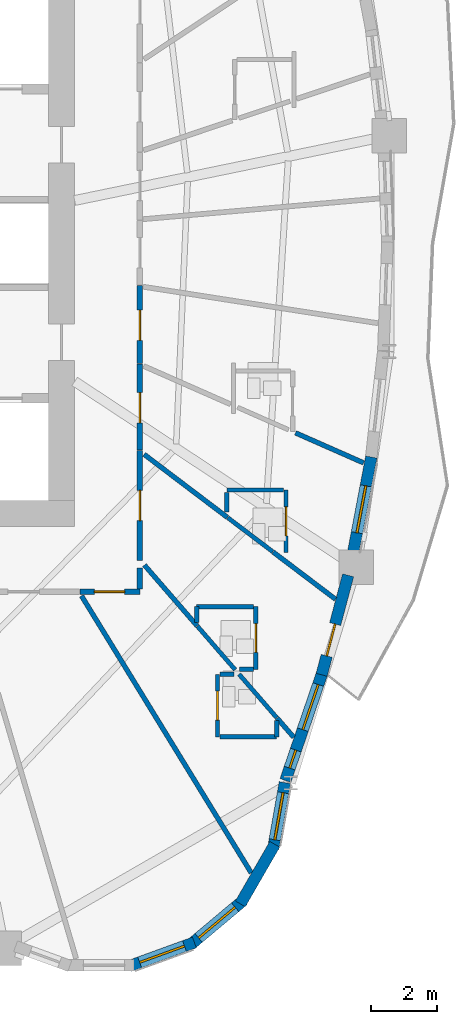
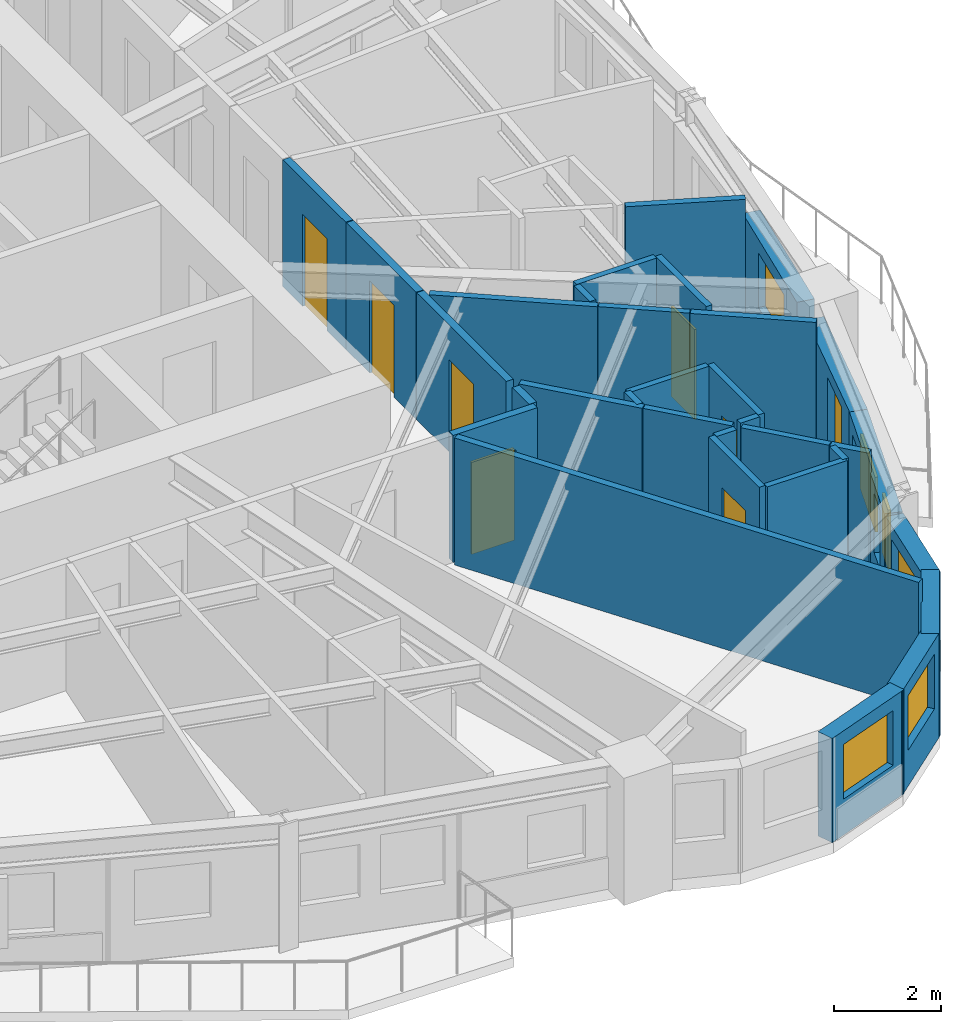
# One storey, part 6 of 13: 32 walls, 8 doors, 6 windows, 14 openings.
"""IFC4 building model written with IfcOpenShell, lengths in metres."""

import ifcopenshell
import ifcopenshell.guid

model = None  # the IFC model being written
_history = None  # IfcOwnerHistory: only IFC2X3 demands one
_inside = {}  # id of a spatial element -> (the spatial element, [elements in it])
_under = {}  # id of a project, library or spatial element -> (it, [spatial elements below it])
_declared = {}  # id of a project -> (the project, [libraries it declares])
_typed = {}  # id of a type object -> (the type object, [elements of that type])
_made_of = {}  # id of a material, layer set ... -> (it, [elements and type objects made of it])


def new_model(schema):
    """Start an empty IFC model of exactly this schema.

    Asked for "IFC4X3", IfcOpenShell would pick the latest addendum, in which some entities
    have other attributes; the version numbers below select the first issue.
    IFC2X3 requires an IfcOwnerHistory on every rooted entity: one is made here for all.
    """
    global model, _history
    if schema == "IFC4X3":
        model = ifcopenshell.file(schema_version=(4, 3, 0, 0))
    else:
        model = ifcopenshell.file(schema=schema)
    _inside.clear()
    _under.clear()
    _declared.clear()
    _typed.clear()
    _made_of.clear()
    _history = None
    if model.schema == "IFC2X3":
        org = make("IfcOrganization", Name="unknown")
        user = make(
            "IfcPersonAndOrganization",
            ThePerson=make("IfcPerson", FamilyName="unknown"),
            TheOrganization=org,
        )
        app = make(
            "IfcApplication",
            ApplicationDeveloper=org,
            Version="unknown",
            ApplicationFullName="unknown",
            ApplicationIdentifier="unknown",
        )
        _history = make(
            "IfcOwnerHistory",
            OwningUser=user,
            OwningApplication=app,
            ChangeAction="ADDED",
            CreationDate=0,
        )
    return model


def make(cls, **values):
    """One entity of the class cls with the attributes given. An attribute that is None is left unset."""
    return model.create_entity(
        cls, **{name: value for name, value in values.items() if value is not None}
    )


def rooted(cls, **values):
    """An entity with a GlobalId (a new one), such as an element, a storey or a relation."""
    return make(cls, GlobalId=ifcopenshell.guid.new(), OwnerHistory=_history, **values)


def si_unit(unit_type, name, prefix=None):
    """IfcSIUnit, for example si_unit("LENGTHUNIT", "METRE", prefix="MILLI")."""
    return make("IfcSIUnit", UnitType=unit_type, Prefix=prefix, Name=name)


def assignment(units):
    """IfcUnitAssignment: the units of a project."""
    return None if units is None else make("IfcUnitAssignment", Units=units)


def point(xyz):
    """IfcCartesianPoint."""
    return None if xyz is None else make("IfcCartesianPoint", Coordinates=xyz)


def direction(xyz):
    """IfcDirection."""
    return None if xyz is None else make("IfcDirection", DirectionRatios=xyz)


def frame(location, z_axis=None, x_axis=None):
    """IfcAxis2Placement3D, a coordinate frame: its origin and axes. An axis left out is left unset."""
    return make(
        "IfcAxis2Placement3D",
        Location=point(location),
        Axis=direction(z_axis),
        RefDirection=direction(x_axis),
    )


def frame_2d(location, x_axis=None):
    """IfcAxis2Placement2D, a coordinate frame in the plane: its origin and x axis."""
    return make(
        "IfcAxis2Placement2D", Location=point(location), RefDirection=direction(x_axis)
    )


def origin():
    """The frame at (0, 0, 0) with its axes left unset."""
    return frame((0.0, 0.0, 0.0))


def place(relative_to, where):
    """IfcLocalPlacement: puts the frame where relative to a parent placement (None: the world)."""
    return make(
        "IfcLocalPlacement", PlacementRelTo=relative_to, RelativePlacement=where
    )


def context(
    kind, dimensions, precision=None, world=None, true_north=None, identifier=None
):
    """IfcGeometricRepresentationContext, for example the 3D "Model" context."""
    return make(
        "IfcGeometricRepresentationContext",
        ContextIdentifier=identifier,
        ContextType=kind,
        CoordinateSpaceDimension=dimensions,
        Precision=precision,
        WorldCoordinateSystem=world,
        TrueNorth=true_north,
    )


def subcontext(parent, identifier, kind, view, scale=None):
    """IfcGeometricRepresentationSubContext, for example "Body" below "Model"."""
    return make(
        "IfcGeometricRepresentationSubContext",
        ContextIdentifier=identifier,
        ContextType=kind,
        ParentContext=parent,
        TargetScale=scale,
        TargetView=view,
    )


def project(units=None, contexts=None):
    """IfcProject with its units and contexts."""
    return rooted(
        "IfcProject",
        Name="project",
        RepresentationContexts=contexts,
        UnitsInContext=assignment(units),
    )


def spatial(cls, under=None, at=None, **own):
    """A site, building, storey or space (cls), placed at a placement, below another one or the project."""
    s = rooted(cls, ObjectPlacement=at, **own)
    if under is not None:
        _under.setdefault(under.id(), (under, []))[1].append(s)
    return s


def profile(cls, at=None, kind="AREA", **sizes):
    """A parametric profile (cls). Its sizes go by their IFC names, for example OverallWidth=200.0."""
    return make(cls, ProfileType=kind, Position=at, **sizes)


def rectangle(**sizes):
    """IfcRectangleProfileDef."""
    return profile("IfcRectangleProfileDef", **sizes)


def extrude(swept, where, along, depth):
    """IfcExtrudedAreaSolid: the profile swept, set in the frame where, extruded along a direction by depth."""
    return make(
        "IfcExtrudedAreaSolid",
        SweptArea=swept,
        Position=where,
        ExtrudedDirection=direction(along),
        Depth=depth,
    )


def shape(context_of_items, identifier, shape_type, items):
    """IfcShapeRepresentation: the items that make up one representation, for example the "Body"."""
    return make(
        "IfcShapeRepresentation",
        ContextOfItems=context_of_items,
        RepresentationIdentifier=identifier,
        RepresentationType=shape_type,
        Items=items,
    )


def source(mapping_origin, context_of_items, identifier, shape_type, items):
    """IfcRepresentationMap: a shape defined once, which mapped items show again and again."""
    return make(
        "IfcRepresentationMap",
        MappingOrigin=mapping_origin,
        MappedRepresentation=shape(context_of_items, identifier, shape_type, items),
    )


def transform(
    local_origin,
    x_axis=None,
    y_axis=None,
    z_axis=None,
    scale=None,
    scale2=None,
    scale3=None,
    uniform=True,
):
    """IfcCartesianTransformationOperator3D, or its non-uniform kind. x_axis, y_axis, z_axis: its Axis1, 2, 3."""
    if uniform:
        return make(
            "IfcCartesianTransformationOperator3D",
            Axis1=direction(x_axis),
            Axis2=direction(y_axis),
            LocalOrigin=point(local_origin),
            Scale=scale,
            Axis3=direction(z_axis),
        )
    return make(
        "IfcCartesianTransformationOperator3DnonUniform",
        Axis1=direction(x_axis),
        Axis2=direction(y_axis),
        LocalOrigin=point(local_origin),
        Scale=scale,
        Axis3=direction(z_axis),
        Scale2=scale2,
        Scale3=scale3,
    )


def mapped(mapping_source, mapping_target):
    """IfcMappedItem: shows the shape of a source again, moved by a transform."""
    return make(
        "IfcMappedItem", MappingSource=mapping_source, MappingTarget=mapping_target
    )


def material(Name=None, Category=None):
    """IfcMaterial."""
    return make("IfcMaterial", Name=Name, Category=Category)


def layer(
    of_material, thickness, ventilated=None, Name=None, Category=None, Priority=None
):
    """IfcMaterialLayer: one layer of a wall or slab, of a material (None: an air gap)."""
    return make(
        "IfcMaterialLayer",
        Material=of_material,
        LayerThickness=thickness,
        IsVentilated=ventilated,
        Name=Name,
        Category=Category,
        Priority=Priority,
    )


def layer_set(layers, Name=None):
    """IfcMaterialLayerSet."""
    return make("IfcMaterialLayerSet", MaterialLayers=layers, LayerSetName=Name)


def made_of(thing, what):
    """Note that an element or type object is made of a material, layer set ...; save() writes the relation."""
    if what is not None:
        _made_of.setdefault(what.id(), (what, []))[1].append(thing)
    return thing


def type_object(cls, material=None, **own):
    """A type object (cls), such as IfcWallType, which elements share."""
    return made_of(rooted(cls, **own), material)


def element(
    cls,
    number,
    at=None,
    inside=None,
    cuts=None,
    type_object=None,
    material=None,
    context=None,
    identifier="Body",
    shape_type=None,
    held_by="IfcProductDefinitionShape",
    body=None,
    shapes=None,
    **own,
):
    """One element of the class cls, such as IfcWall. Its Tag is "e" and its number.

    at: its placement. inside: the storey or other place that contains it. cuts: it is an
    opening in that element (IfcRelVoidsElement). A single representation is given by context,
    identifier, shape_type and body (its items); several are given by shapes. held_by: the class
    of the entity that holds the representations. save() writes the other relations.
    """
    e = rooted(cls, Tag="e%d" % number, ObjectPlacement=at, **own)
    if body is not None:
        shapes = [shape(context, identifier, shape_type, body)]
    if shapes is not None:
        e.Representation = make(held_by, Representations=shapes)
    if inside is not None:
        _inside.setdefault(inside.id(), (inside, []))[1].append(e)
    if cuts is not None:
        rooted(
            "IfcRelVoidsElement", RelatingBuildingElement=cuts, RelatedOpeningElement=e
        )
    if type_object is not None:
        _typed.setdefault(type_object.id(), (type_object, []))[1].append(e)
    return made_of(e, material)


def fill(opening, filler):
    """IfcRelFillsElement: the door or window that sits in an opening."""
    return rooted(
        "IfcRelFillsElement",
        RelatingOpeningElement=opening,
        RelatedBuildingElement=filler,
    )


def aggregate(whole, parts):
    """IfcRelAggregates: a whole, such as a stair, and the parts it consists of."""
    return rooted("IfcRelAggregates", RelatingObject=whole, RelatedObjects=parts)


def save(model, path):
    """Write the relations noted so far, then the file.

    IfcRelAggregates (storeys below a building ...), IfcRelContainedInSpatialStructure (elements
    in a storey), IfcRelDefinesByType, IfcRelAssociatesMaterial and IfcRelDeclares: one each for
    every whole, place, type object, material and project.
    """
    for whole, parts in _under.values():
        aggregate(whole, parts)
    for where, things in _inside.values():
        rooted(
            "IfcRelContainedInSpatialStructure",
            RelatedElements=things,
            RelatingStructure=where,
        )
    for kind, things in _typed.values():
        rooted("IfcRelDefinesByType", RelatedObjects=things, RelatingType=kind)
    for what, things in _made_of.values():
        rooted("IfcRelAssociatesMaterial", RelatedObjects=things, RelatingMaterial=what)
    for by, libraries in _declared.values():
        rooted("IfcRelDeclares", RelatingContext=by, RelatedDefinitions=libraries)
    model.write(path)


model = new_model("IFC4")

# Units and contexts
model_context = context("Model", 3, precision=1e-05, world=origin(), true_north=direction((0.0, 1.0)))
body_context = subcontext(model_context, "Body", "Model", "MODEL_VIEW")
ifc_project = project(units=[si_unit("LENGTHUNIT", "METRE"), si_unit("AREAUNIT", "SQUARE_METRE"), si_unit("VOLUMEUNIT", "CUBIC_METRE"), si_unit("PLANEANGLEUNIT", "RADIAN"), si_unit("MASSUNIT", "GRAM", prefix="KILO")], contexts=[model_context])

# Site, building, storey
site_placement = place(None, origin())
site = spatial("IfcSite", under=ifc_project, at=site_placement, CompositionType="ELEMENT")
building_placement = place(site_placement, origin())
building = spatial("IfcBuilding", under=site, at=building_placement, Name="Qafzar Sky-Pleat Residences", CompositionType="ELEMENT")
storey_placement = place(building_placement, frame((0.0, 0.0, 62.199951171875)))
storey = spatial("IfcBuildingStorey", under=building, at=storey_placement, Name="L18", CompositionType="ELEMENT", Elevation=62.199951171875)

# Wall, opening, door
ifc_material_1 = material(Name="Acoustic gypsum plasterboard partition", Category="gypsum")
ifc_layer_1 = layer(ifc_material_1, 0.159912109375)
ifc_layer_set_1 = layer_set([ifc_layer_1], Name="Acoustic gypsum plasterboard partition")
wall_type_1 = type_object("IfcWallType", Name="PART-COR-160", PredefinedType="PARTITIONING", material=ifc_layer_set_1)
wall_1_placement = place(storey_placement, frame((38.679931640625, 19.712890625, 0.0), z_axis=(0.0, 0.0, 1.0), x_axis=(0.0, -1.0, 0.0)))
wall_1 = element("IfcWall", 1, at=wall_1_placement, inside=storey, type_object=wall_type_1, Name="L18 Partition Wall PART-L18-PW-008", PredefinedType="PARTITIONING", context=body_context, shape_type="SweptSolid", body=[
    extrude(rectangle(XDim=3.343994140625, YDim=0.159912109375, at=frame_2d((1.671875, 0.0))), origin(), (0.0, 0.0, 1.0), 2.900146484375),
])
opening_1_placement = place(wall_1_placement, frame((1.2099609375, 0.0, 0.0)))
opening_1 = element("IfcOpeningElement", 2, at=opening_1_placement, cuts=wall_1, Name="Opening ID-04", PredefinedType="OPENING", context=body_context, shape_type="SweptSolid", body=[
    extrude(rectangle(XDim=0.919921875, YDim=2.10009765625, at=frame_2d((0.4599609375, 1.050048828125))), frame((0.0, 0.08984375, 0.0), z_axis=(0.0, -1.0, 0.0), x_axis=(1.0, 0.0, 0.0)), (0.0, 0.0, 1.0), 0.179931640625),
])
ifc_material_2 = material(Name="Timber-faced fire door", Category="wood")
door_type_1 = type_object("IfcDoorType", Name="DR-BED-920", OperationType="NOTDEFINED", PredefinedType="DOOR", material=ifc_material_2)
shared_shape_1 = source(origin(), body_context, "Body", "SweptSolid", [
    extrude(rectangle(XDim=0.919921875, YDim=2.10009765625, at=frame_2d((0.4599609375, 1.050048828125))), frame((0.0, 0.02490234375, 0.0), z_axis=(0.0, -1.0, 0.0), x_axis=(1.0, 0.0, 0.0)), (0.0, 0.0, 1.0), 0.050048828125),
])
door_1_placement = place(opening_1_placement, origin())
door_1 = element("IfcDoor", 3, at=door_1_placement, inside=storey, type_object=door_type_1, Name="L18 Co-Living Bedroom 2 Door", OperationType="SINGLE_SWING_RIGHT", OverallHeight=2.10009765625, OverallWidth=0.919921875, PredefinedType="DOOR", context=body_context, shape_type="MappedRepresentation", body=[
    mapped(shared_shape_1, transform((0.0, 0.0, 0.0), x_axis=(1.0, 0.0, 0.0), y_axis=(0.0, 1.0, 0.0), z_axis=(0.0, 0.0, 1.0), scale=1.0)),
])
fill(opening_1, door_1)

wall_2_placement = place(storey_placement, frame((38.679931640625, 22.347900390625, 0.0), z_axis=(0.0, 0.0, 1.0), x_axis=(0.0, -1.0, 0.0)))
wall_2 = element("IfcWall", 4, at=wall_2_placement, inside=storey, type_object=wall_type_1, Name="L18 Partition Wall PART-L18-PW-013", PredefinedType="PARTITIONING", context=body_context, shape_type="SweptSolid", body=[
    extrude(rectangle(XDim=2.619873046875, YDim=0.159912109375, at=frame_2d((1.31005859375, 0.0))), origin(), (0.0, 0.0, 1.0), 2.900146484375),
])
opening_2_placement = place(wall_2_placement, frame((0.87548828125, 0.0, 0.0)))
opening_2 = element("IfcOpeningElement", 5, at=opening_2_placement, cuts=wall_2, Name="Opening ID-04", PredefinedType="OPENING", context=body_context, shape_type="SweptSolid", body=[
    extrude(rectangle(XDim=0.919921875, YDim=2.10009765625, at=frame_2d((0.4599609375, 1.050048828125))), frame((0.0, 0.08984375, 0.0), z_axis=(0.0, -1.0, 0.0), x_axis=(1.0, 0.0, 0.0)), (0.0, 0.0, 1.0), 0.179931640625),
])
door_2_placement = place(opening_2_placement, origin())
door_2 = element("IfcDoor", 6, at=door_2_placement, inside=storey, type_object=door_type_1, Name="L18 Co-Living Bedroom 3 Door", OperationType="SINGLE_SWING_LEFT", OverallHeight=2.10009765625, OverallWidth=0.919921875, PredefinedType="DOOR", context=body_context, shape_type="MappedRepresentation", body=[
    mapped(shared_shape_1, transform((0.0, 0.0, 0.0), x_axis=(1.0, 0.0, 0.0), y_axis=(0.0, 1.0, 0.0), z_axis=(0.0, 0.0, 1.0), scale=1.0)),
])
fill(opening_2, door_2)

wall_3_placement = place(storey_placement, frame((38.679931640625, 24.719970703125, 0.0), z_axis=(0.0, 0.0, 1.0), x_axis=(0.0, -1.0, 0.0)))
wall_3 = element("IfcWall", 7, at=wall_3_placement, inside=storey, type_object=wall_type_1, Name="L18 Partition Wall PART-L18-PW-015", PredefinedType="PARTITIONING", context=body_context, shape_type="SweptSolid", body=[
    extrude(rectangle(XDim=2.35693359375, YDim=0.159912109375, at=frame_2d((1.178466796875, 0.0))), origin(), (0.0, 0.0, 1.0), 2.900146484375),
])
opening_3_placement = place(wall_3_placement, frame((0.742431640625, 0.0, 0.0)))
opening_3 = element("IfcOpeningElement", 8, at=opening_3_placement, cuts=wall_3, Name="Opening ID-04", PredefinedType="OPENING", context=body_context, shape_type="SweptSolid", body=[
    extrude(rectangle(XDim=0.919921875, YDim=2.10009765625, at=frame_2d((0.4599609375, 1.050048828125))), frame((0.0, 0.08984375, 0.0), z_axis=(0.0, -1.0, 0.0), x_axis=(1.0, 0.0, 0.0)), (0.0, 0.0, 1.0), 0.179931640625),
])
door_3_placement = place(opening_3_placement, origin())
door_3 = element("IfcDoor", 9, at=door_3_placement, inside=storey, type_object=door_type_1, Name="L18 Co-Living Bedroom 4 Door", OperationType="SINGLE_SWING_LEFT", OverallHeight=2.10009765625, OverallWidth=0.919921875, PredefinedType="DOOR", context=body_context, shape_type="MappedRepresentation", body=[
    mapped(shared_shape_1, transform((0.0, 0.0, 0.0), x_axis=(1.0, 0.0, 0.0), y_axis=(0.0, 1.0, 0.0), z_axis=(0.0, 0.0, 1.0), scale=1.0)),
])
fill(opening_3, door_3)

wall_4_placement = place(storey_placement, frame((38.679931640625, 15.419921875, 0.0), z_axis=(0.0, 0.0, 1.0), x_axis=(-1.0, 0.0, 0.0)))
wall_4 = element("IfcWall", 10, at=wall_4_placement, inside=storey, type_object=wall_type_1, Name="L18 Partition Wall PART-L18-PW-027", PredefinedType="PARTITIONING", context=body_context, shape_type="SweptSolid", body=[
    extrude(rectangle(XDim=1.81591796875, YDim=0.159912109375, at=frame_2d((0.907958984375, 0.0))), origin(), (0.0, 0.0, 1.0), 2.900146484375),
])
opening_4_placement = place(wall_4_placement, frame((0.464111328125, 0.0, 0.0)))
opening_4 = element("IfcOpeningElement", 11, at=opening_4_placement, cuts=wall_4, Name="Opening ID-04", PredefinedType="OPENING", context=body_context, shape_type="SweptSolid", body=[
    extrude(rectangle(XDim=0.919921875, YDim=2.10009765625, at=frame_2d((0.4599609375, 1.050048828125))), frame((0.0, 0.08984375, 0.0), z_axis=(0.0, -1.0, 0.0), x_axis=(1.0, 0.0, 0.0)), (0.0, 0.0, 1.0), 0.179931640625),
])
door_4_placement = place(opening_4_placement, origin())
door_4 = element("IfcDoor", 12, at=door_4_placement, inside=storey, type_object=door_type_1, Name="L18 Co-Living Bedroom 1 Door", OperationType="SINGLE_SWING_LEFT", OverallHeight=2.10009765625, OverallWidth=0.919921875, PredefinedType="DOOR", context=body_context, shape_type="MappedRepresentation", body=[
    mapped(shared_shape_1, transform((0.0, 0.0, 0.0), x_axis=(1.0, 0.0, 0.0), y_axis=(0.0, 1.0, 0.0), z_axis=(0.0, 0.0, 1.0), scale=1.0)),
])
fill(opening_4, door_4)

# Walls
wall_5_placement = place(storey_placement, frame((38.679931640625, 15.508056640625, 0.0), z_axis=(0.0, 0.0, 1.0), x_axis=(0.0, 1.0, 0.0)))
element("IfcWall", 13, at=wall_5_placement, inside=storey, type_object=wall_type_1, Name="L18 Partition Wall PART-L18-PW-084", PredefinedType="PARTITIONING", context=body_context, shape_type="SweptSolid", body=[
    extrude(rectangle(XDim=0.635009765625, YDim=0.159912109375, at=frame_2d((0.3173828125, 0.0))), origin(), (0.0, 0.0, 1.0), 2.900146484375),
])
ifc_layer_2 = layer(ifc_material_1, 0.14501953125)
ifc_layer_set_2 = layer_set([ifc_layer_2], Name="Acoustic gypsum plasterboard partition")
wall_type_2 = type_object("IfcWallType", Name="PART-UNIT-145", PredefinedType="PARTITIONING", material=ifc_layer_set_2)
wall_6_placement = place(storey_placement, frame((36.908447265625, 15.29541015625, 0.0), z_axis=(0.0, 0.0, 1.0), x_axis=(0.522407183079, -0.852696156358, 0.0)))
element("IfcWall", 14, at=wall_6_placement, inside=storey, type_object=wall_type_2, Name="L18 Partition Wall PART-L18-PW-038", PredefinedType="PARTITIONING", context=body_context, shape_type="SweptSolid", body=[
    extrude(rectangle(XDim=9.8701171875, YDim=0.14501953125, at=frame_2d((4.93505859375, 0.0))), origin(), (0.0, 0.0, 1.0), 2.900146484375),
])
wall_7_placement = place(storey_placement, frame((38.81005859375, 19.595458984375, 0.0), z_axis=(0.0, 0.0, 1.0), x_axis=(0.797304275437, -0.603577577756, 0.0)))
element("IfcWall", 15, at=wall_7_placement, inside=storey, type_object=wall_type_2, Name="L18 Partition Wall PART-L18-PW-052", PredefinedType="PARTITIONING", context=body_context, shape_type="SweptSolid", body=[
    extrude(rectangle(XDim=3.172119140625, YDim=0.14501953125, at=frame_2d((1.5859375, 0.0))), origin(), (0.0, 0.0, 1.0), 2.900146484375),
])
wall_8_placement = place(storey_placement, frame((38.820068359375, 16.23046875, 0.0), z_axis=(0.0, 0.0, 1.0), x_axis=(0.655037088123, -0.755596726556, 0.0)))
element("IfcWall", 16, at=wall_8_placement, inside=storey, type_object=wall_type_2, Name="L18 Partition Wall PART-L18-PW-055", PredefinedType="PARTITIONING", context=body_context, shape_type="SweptSolid", body=[
    extrude(rectangle(XDim=2.4423828125, YDim=0.14501953125, at=frame_2d((1.22119140625, 0.0))), origin(), (0.0, 0.0, 1.0), 2.900146484375),
])
wall_9_placement = place(storey_placement, frame((43.40966796875, 20.248291015625, 0.0), z_axis=(0.0, 0.0, 1.0), x_axis=(0.915032786041, -0.403379474527, 0.0)))
element("IfcWall", 17, at=wall_9_placement, inside=storey, type_object=wall_type_2, Name="L18 Partition Wall PART-L18-PW-057", PredefinedType="PARTITIONING", context=body_context, shape_type="SweptSolid", body=[
    extrude(rectangle(XDim=2.25927734375, YDim=0.14501953125, at=frame_2d((1.129638671875, 0.0))), origin(), (0.0, 0.0, 1.0), 2.900146484375),
])
wall_10_placement = place(storey_placement, frame((42.73291015625, 16.6259765625, 0.0), z_axis=(0.0, 0.0, 1.0), x_axis=(0.797372907097, -0.603486907089, 0.0)))
element("IfcWall", 18, at=wall_10_placement, inside=storey, type_object=wall_type_2, Name="L18 Partition Wall PART-L18-PW-058", PredefinedType="PARTITIONING", context=body_context, shape_type="SweptSolid", body=[
    extrude(rectangle(XDim=2.37109375, YDim=0.14501953125, at=frame_2d((1.185546875, 0.0))), origin(), (0.0, 0.0, 1.0), 2.900146484375),
])
wall_11_placement = place(storey_placement, frame((42.848876953125, 11.583740234375, 0.0), z_axis=(0.0, 0.0, 1.0), x_axis=(0.655530542193, -0.755168662123, 0.0)))
element("IfcWall", 19, at=wall_11_placement, inside=storey, type_object=wall_type_2, Name="L18 Partition Wall PART-L18-PW-086", PredefinedType="PARTITIONING", context=body_context, shape_type="SweptSolid", body=[
    extrude(rectangle(XDim=0.774169921875, YDim=0.14501953125, at=frame_2d((0.38720703125, 0.0))), origin(), (0.0, 0.0, 1.0), 2.900146484375),
])

# Wall, opening, door
ifc_material_3 = material(Name="Moisture-resistant gypsum partition", Category="gypsum")
ifc_layer_3 = layer(ifc_material_3, 0.1298828125)
ifc_layer_set_3 = layer_set([ifc_layer_3], Name="Moisture-resistant gypsum partition")
wall_type_3 = type_object("IfcWallType", Name="PART-WET-130", PredefinedType="PARTITIONING", material=ifc_layer_set_3)
wall_12_placement = place(storey_placement, frame((41.0390625, 12.9140625, 0.0), z_axis=(0.0, 0.0, 1.0), x_axis=(0.0, -1.0, 0.0)))
wall_12 = element("IfcWall", 20, at=wall_12_placement, inside=storey, type_object=wall_type_3, Name="L18 Partition Wall PART-L18-PW-020", PredefinedType="PARTITIONING", context=body_context, shape_type="SweptSolid", body=[
    extrude(rectangle(XDim=1.900146484375, YDim=0.1298828125, at=frame_2d((0.9501953125, 0.0))), origin(), (0.0, 0.0, 1.0), 2.900146484375),
])
opening_5_placement = place(wall_12_placement, frame((0.510009765625, 0.0, 0.0)))
opening_5 = element("IfcOpeningElement", 21, at=opening_5_placement, cuts=wall_12, Name="Opening ID-07", PredefinedType="OPENING", context=body_context, shape_type="SweptSolid", body=[
    extrude(rectangle(XDim=0.8798828125, YDim=2.050048828125, at=frame_2d((0.43994140625, 1.02490234375))), frame((0.0, 0.074951171875, 0.0), z_axis=(0.0, -1.0, 0.0), x_axis=(1.0, 0.0, 0.0)), (0.0, 0.0, 1.0), 0.14990234375),
])
door_type_2 = type_object("IfcDoorType", Name="DR-WET-880", OperationType="NOTDEFINED", PredefinedType="DOOR", material=ifc_material_2)
shared_shape_2 = source(origin(), body_context, "Body", "SweptSolid", [
    extrude(rectangle(XDim=0.8798828125, YDim=2.050048828125, at=frame_2d((0.43994140625, 1.02490234375))), frame((0.0, 0.02490234375, 0.0), z_axis=(0.0, -1.0, 0.0), x_axis=(1.0, 0.0, 0.0)), (0.0, 0.0, 1.0), 0.050048828125),
])
door_5_placement = place(opening_5_placement, origin())
door_5 = element("IfcDoor", 22, at=door_5_placement, inside=storey, type_object=door_type_2, Name="L18 En-suite Bathroom 1 Door", OperationType="SINGLE_SWING_RIGHT", OverallHeight=2.050048828125, OverallWidth=0.8798828125, PredefinedType="DOOR", context=body_context, shape_type="MappedRepresentation", body=[
    mapped(shared_shape_2, transform((0.0, 0.0, 0.0), x_axis=(1.0, 0.0, 0.0), y_axis=(0.0, 1.0, 0.0), z_axis=(0.0, 0.0, 1.0), scale=1.0)),
])
fill(opening_5, door_5)

wall_13_placement = place(storey_placement, frame((42.205078125, 13.06591796875, 0.0), z_axis=(0.0, 0.0, 1.0), x_axis=(0.0, 1.0, 0.0)))
wall_13 = element("IfcWall", 23, at=wall_13_placement, inside=storey, type_object=wall_type_3, Name="L18 Partition Wall PART-L18-PW-022", PredefinedType="PARTITIONING", context=body_context, shape_type="SweptSolid", body=[
    extrude(rectangle(XDim=1.900146484375, YDim=0.1298828125, at=frame_2d((0.9501953125, 0.0))), origin(), (0.0, 0.0, 1.0), 2.900146484375),
])
opening_6_placement = place(wall_13_placement, frame((0.510009765625, 0.0, 0.0)))
opening_6 = element("IfcOpeningElement", 24, at=opening_6_placement, cuts=wall_13, Name="Opening ID-07", PredefinedType="OPENING", context=body_context, shape_type="SweptSolid", body=[
    extrude(rectangle(XDim=0.8798828125, YDim=2.050048828125, at=frame_2d((0.43994140625, 1.02490234375))), frame((0.0, 0.074951171875, 0.0), z_axis=(0.0, -1.0, 0.0), x_axis=(1.0, 0.0, 0.0)), (0.0, 0.0, 1.0), 0.14990234375),
])
door_6_placement = place(opening_6_placement, origin())
door_6 = element("IfcDoor", 25, at=door_6_placement, inside=storey, type_object=door_type_2, Name="L18 En-suite Bathroom 2 Door", OperationType="SINGLE_SWING_RIGHT", OverallHeight=2.050048828125, OverallWidth=0.8798828125, PredefinedType="DOOR", context=body_context, shape_type="MappedRepresentation", body=[
    mapped(shared_shape_2, transform((0.0, 0.0, 0.0), x_axis=(1.0, 0.0, 0.0), y_axis=(0.0, 1.0, 0.0), z_axis=(0.0, 0.0, 1.0), scale=1.0)),
])
fill(opening_6, door_6)

wall_14_placement = place(storey_placement, frame((43.1240234375, 16.611083984375, 0.0), z_axis=(0.0, 0.0, 1.0), x_axis=(0.0, 1.0, 0.0)))
wall_14 = element("IfcWall", 26, at=wall_14_placement, inside=storey, type_object=wall_type_3, Name="L18 Partition Wall PART-L18-PW-023", PredefinedType="PARTITIONING", context=body_context, shape_type="SweptSolid", body=[
    extrude(rectangle(XDim=1.89990234375, YDim=0.1298828125, at=frame_2d((0.949951171875, 0.0))), origin(), (0.0, 0.0, 1.0), 2.900146484375),
])
opening_7_placement = place(wall_14_placement, frame((0.510009765625, 0.0, 0.0)))
opening_7 = element("IfcOpeningElement", 27, at=opening_7_placement, cuts=wall_14, Name="Opening ID-07", PredefinedType="OPENING", context=body_context, shape_type="SweptSolid", body=[
    extrude(rectangle(XDim=0.8798828125, YDim=2.050048828125, at=frame_2d((0.43994140625, 1.02490234375))), frame((0.0, 0.074951171875, 0.0), z_axis=(0.0, -1.0, 0.0), x_axis=(1.0, 0.0, 0.0)), (0.0, 0.0, 1.0), 0.14990234375),
])
door_7_placement = place(opening_7_placement, origin())
door_7 = element("IfcDoor", 28, at=door_7_placement, inside=storey, type_object=door_type_2, Name="L18 En-suite Bathroom 3 Door", OperationType="SINGLE_SWING_LEFT", OverallHeight=2.050048828125, OverallWidth=0.8798828125, PredefinedType="DOOR", context=body_context, shape_type="MappedRepresentation", body=[
    mapped(shared_shape_2, transform((0.0, 0.0, 0.0), x_axis=(1.0, 0.0, 0.0), y_axis=(0.0, 1.0, 0.0), z_axis=(0.0, 0.0, 1.0), scale=1.0)),
])
fill(opening_7, door_7)

# Walls
for number, where, z_axis, x_axis, name in (
    (29, (41.323974609375, 18.510986328125, 0.0), (0.0, 0.0, 1.0), (1.0, 0.0, 0.0), "L18 Partition Wall PART-L18-PW-064"),
    (30, (41.112060546875, 11.013916015625, 0.0), (0.0, 0.0, 1.0), (1.0, 0.0, 0.0), "L18 Partition Wall PART-L18-PW-068"),
    (31, (40.405029296875, 14.966064453125, 0.0), (0.0, 0.0, 1.0), (1.0, 0.0, 0.0), "L18 Partition Wall PART-L18-PW-069"),
):
    element("IfcWall", number, at=place(storey_placement, frame(where, z_axis=z_axis, x_axis=x_axis)), inside=storey, type_object=wall_type_3, Name=name, PredefinedType="PARTITIONING", context=body_context, shape_type="SweptSolid", body=[
        extrude(rectangle(XDim=1.72705078125, YDim=0.1298828125, at=frame_2d((0.863525390625, 0.0))), origin(), (0.0, 0.0, 1.0), 2.900146484375),
    ])
wall_15_placement = place(storey_placement, frame((40.429931640625, 14.373779296875, 0.0), z_axis=(0.0, 0.0, 1.0), x_axis=(0.655121637619, -0.755523421162, 0.0)))
element("IfcWall", 32, at=wall_15_placement, inside=storey, type_object=wall_type_3, Name="L18 Partition Wall PART-L18-PW-073", PredefinedType="PARTITIONING", context=body_context, shape_type="SweptSolid", body=[
    extrude(rectangle(XDim=1.750732421875, YDim=0.1298828125, at=frame_2d((0.87548828125, 0.0))), origin(), (0.0, 0.0, 1.0), 2.900146484375),
])
wall_16_placement = place(storey_placement, frame((41.696044921875, 12.9140625, 0.0), z_axis=(0.0, 0.0, 1.0), x_axis=(0.654882611276, -0.755730616985, 0.0)))
element("IfcWall", 33, at=wall_16_placement, inside=storey, type_object=wall_type_3, Name="L18 Partition Wall PART-L18-PW-074", PredefinedType="PARTITIONING", context=body_context, shape_type="SweptSolid", body=[
    extrude(rectangle(XDim=1.745361328125, YDim=0.1298828125, at=frame_2d((0.87255859375, 0.0))), origin(), (0.0, 0.0, 1.0), 2.900146484375),
])
wall_17_placement = place(storey_placement, frame((41.35107421875, 17.672119140625, 0.0), z_axis=(0.0, 0.0, 1.0), x_axis=(0.797400841938, -0.603449995672, 0.0)))
element("IfcWall", 34, at=wall_17_placement, inside=storey, type_object=wall_type_3, Name="L18 Partition Wall PART-L18-PW-075", PredefinedType="PARTITIONING", context=body_context, shape_type="SweptSolid", body=[
    extrude(rectangle(XDim=1.71826171875, YDim=0.1298828125, at=frame_2d((0.859130859375, 0.0))), origin(), (0.0, 0.0, 1.0), 2.900146484375),
])
wall_18_placement = place(storey_placement, frame((41.323974609375, 17.841064453125, 0.0), z_axis=(0.0, 0.0, 1.0), x_axis=(0.0, 1.0, 0.0)))
element("IfcWall", 35, at=wall_18_placement, inside=storey, type_object=wall_type_3, Name="L18 Partition Wall PART-L18-PW-085", PredefinedType="PARTITIONING", context=body_context, shape_type="SweptSolid", body=[
    extrude(rectangle(XDim=0.596923828125, YDim=0.1298828125, at=frame_2d((0.29833984375, 0.0))), origin(), (0.0, 0.0, 1.0), 2.900146484375),
])
wall_19_placement = place(storey_placement, frame((41.112060546875, 12.9140625, 0.0), z_axis=(0.0, 0.0, 1.0), x_axis=(1.0, 0.0, 0.0)))
element("IfcWall", 36, at=wall_19_placement, inside=storey, type_object=wall_type_3, Name="L18 Partition Wall PART-L18-PW-087", PredefinedType="PARTITIONING", context=body_context, shape_type="SweptSolid", body=[
    extrude(rectangle(XDim=0.43359375, YDim=0.1298828125, at=frame_2d((0.216796875, 0.0))), origin(), (0.0, 0.0, 1.0), 2.900146484375),
])
wall_20_placement = place(storey_placement, frame((41.71435546875, 13.06591796875, 0.0), z_axis=(0.0, 0.0, 1.0), x_axis=(1.0, 0.0, 0.0)))
element("IfcWall", 37, at=wall_20_placement, inside=storey, type_object=wall_type_3, Name="L18 Partition Wall PART-L18-PW-088", PredefinedType="PARTITIONING", context=body_context, shape_type="SweptSolid", body=[
    extrude(rectangle(XDim=0.417724609375, YDim=0.1298828125, at=frame_2d((0.208984375, 0.0))), origin(), (0.0, 0.0, 1.0), 2.900146484375),
])
wall_21_placement = place(storey_placement, frame((42.839111328125, 11.013916015625, 0.0), z_axis=(0.0, 0.0, 1.0), x_axis=(0.0, 1.0, 0.0)))
element("IfcWall", 38, at=wall_21_placement, inside=storey, type_object=wall_type_3, Name="L18 Partition Wall PART-L18-PW-089", PredefinedType="PARTITIONING", context=body_context, shape_type="SweptSolid", body=[
    extrude(rectangle(XDim=0.490966796875, YDim=0.1298828125, at=frame_2d((0.24560546875, 0.0))), origin(), (0.0, 0.0, 1.0), 2.900146484375),
])
wall_22_placement = place(storey_placement, frame((40.405029296875, 14.492919921875, 0.0), z_axis=(0.0, 0.0, 1.0), x_axis=(0.0, 1.0, 0.0)))
element("IfcWall", 39, at=wall_22_placement, inside=storey, type_object=wall_type_3, Name="L18 Partition Wall PART-L18-PW-090", PredefinedType="PARTITIONING", context=body_context, shape_type="SweptSolid", body=[
    extrude(rectangle(XDim=0.47314453125, YDim=0.1298828125, at=frame_2d((0.236572265625, 0.0))), origin(), (0.0, 0.0, 1.0), 2.900146484375),
])

# Wall, opening, window
ifc_material_4 = material(Name="Precast concrete C40/50 with honed Riyadh limestone", Category="concrete")
ifc_layer_4 = layer(ifc_material_4, 0.35009765625)
ifc_layer_set_4 = layer_set([ifc_layer_4], Name="Precast concrete C40/50 with honed Riyadh limestone")
wall_type_4 = type_object("IfcWallType", Name="WALL-EXT-350", PredefinedType="SOLIDWALL", material=ifc_layer_set_4)
wall_23_placement = place(storey_placement, frame((38.3740234375, 4.050048828125, 0.0), z_axis=(0.0, 0.0, 1.0), x_axis=(0.939711556618, 0.341968113072, 0.0)))
wall_23 = element("IfcWall", 40, at=wall_23_placement, inside=storey, type_object=wall_type_4, Name="L18 Limestone Facade Wall 19", PredefinedType="SOLIDWALL", context=body_context, shape_type="SweptSolid", body=[
    extrude(rectangle(XDim=2.09033203125, YDim=0.35009765625, at=frame_2d((1.045166015625, 0.0))), origin(), (0.0, 0.0, 1.0), 2.380126953125),
])
opening_8_placement = place(wall_23_placement, frame((0.320068359375, 0.0, 0.820068359375)))
opening_8 = element("IfcOpeningElement", 41, at=opening_8_placement, cuts=wall_23, Name="Opening WN-15", PredefinedType="OPENING", context=body_context, shape_type="SweptSolid", body=[
    extrude(rectangle(XDim=1.449951171875, YDim=1.25, at=frame_2d((0.72509765625, 0.625))), frame((0.0, 0.18505859375, 0.0), z_axis=(0.0, -1.0, 0.0), x_axis=(1.0, 0.0, 0.0)), (0.0, 0.0, 1.0), 0.3701171875),
])
ifc_material_5 = material(Name="Solar-control low-E glass in bronze aluminium frame", Category="glass")
window_type_1 = type_object("IfcWindowType", Name="WIN-15", PartitioningType="SINGLE_PANEL", PredefinedType="WINDOW", material=ifc_material_5)
shared_shape_3 = source(origin(), body_context, "Body", "SweptSolid", [
    extrude(rectangle(XDim=1.449951171875, YDim=1.25, at=frame_2d((0.72509765625, 0.625))), frame((0.0, 0.030029296875, 0.0), z_axis=(0.0, -1.0, 0.0), x_axis=(1.0, 0.0, 0.0)), (0.0, 0.0, 1.0), 0.06005859375),
])
window_1_placement = place(opening_8_placement, origin())
window_1 = element("IfcWindow", 42, at=window_1_placement, inside=storey, type_object=window_type_1, Name="L18 Punched Facade Window 19", OverallHeight=1.25, OverallWidth=1.449951171875, PartitioningType="SINGLE_PANEL", PredefinedType="WINDOW", context=body_context, shape_type="MappedRepresentation", body=[
    mapped(shared_shape_3, transform((0.0, 0.0, 0.0), x_axis=(1.0, 0.0, 0.0), y_axis=(0.0, 1.0, 0.0), z_axis=(0.0, 0.0, 1.0), scale=1.0)),
])
fill(opening_8, window_1)

wall_24_placement = place(storey_placement, frame((40.220947265625, 4.697021484375, 0.0), z_axis=(0.0, 0.0, 1.0), x_axis=(0.766024572719, 0.642811289563, 0.0)))
wall_24 = element("IfcWall", 43, at=wall_24_placement, inside=storey, type_object=wall_type_4, Name="L18 Limestone Facade Wall 20", PredefinedType="SOLIDWALL", context=body_context, shape_type="SweptSolid", body=[
    extrude(rectangle(XDim=2.09033203125, YDim=0.35009765625, at=frame_2d((1.045166015625, 0.0))), origin(), (0.0, 0.0, 1.0), 2.380126953125),
])
opening_9_placement = place(wall_24_placement, frame((0.3203125, 0.0, 0.820068359375)))
opening_9 = element("IfcOpeningElement", 44, at=opening_9_placement, cuts=wall_24, Name="Opening WN-15", PredefinedType="OPENING", context=body_context, shape_type="SweptSolid", body=[
    extrude(rectangle(XDim=1.449951171875, YDim=1.25, at=frame_2d((0.72509765625, 0.625))), frame((0.0, 0.18505859375, 0.0), z_axis=(0.0, -1.0, 0.0), x_axis=(1.0, 0.0, 0.0)), (0.0, 0.0, 1.0), 0.3701171875),
])
window_2_placement = place(opening_9_placement, origin())
window_2 = element("IfcWindow", 45, at=window_2_placement, inside=storey, type_object=window_type_1, Name="L18 Punched Facade Window 20", OverallHeight=1.25, OverallWidth=1.449951171875, PartitioningType="SINGLE_PANEL", PredefinedType="WINDOW", context=body_context, shape_type="MappedRepresentation", body=[
    mapped(shared_shape_3, transform((0.0, 0.0, 0.0), x_axis=(1.0, 0.0, 0.0), y_axis=(0.0, 1.0, 0.0), z_axis=(0.0, 0.0, 1.0), scale=1.0)),
])
fill(opening_9, window_2)

# Wall
wall_25_placement = place(storey_placement, frame((41.735107421875, 5.93701171875, 0.0), z_axis=(0.0, 0.0, 1.0), x_axis=(0.49990781971, 0.866078617559, 0.0)))
element("IfcWall", 46, at=wall_25_placement, inside=storey, type_object=wall_type_4, Name="L18 Limestone Facade Wall 21", PredefinedType="SOLIDWALL", context=body_context, shape_type="SweptSolid", body=[
    extrude(rectangle(XDim=2.09033203125, YDim=0.35009765625, at=frame_2d((1.045166015625, 0.0))), origin(), (0.0, 0.0, 1.0), 2.380126953125),
])

# Wall, opening, window
wall_26_placement = place(storey_placement, frame((42.73388671875, 7.619873046875, 0.0), z_axis=(0.0, 0.0, 1.0), x_axis=(0.173607131876, 0.984814989611, 0.0)))
wall_26 = element("IfcWall", 47, at=wall_26_placement, inside=storey, type_object=wall_type_4, Name="L18 Limestone Facade Wall 22", PredefinedType="SOLIDWALL", context=body_context, shape_type="SweptSolid", body=[
    extrude(rectangle(XDim=2.031982421875, YDim=0.35009765625, at=frame_2d((1.01611328125, 0.0))), origin(), (0.0, 0.0, 1.0), 2.380126953125),
])
opening_10_placement = place(wall_26_placement, frame((0.27001953125, 0.0, 0.820068359375)))
opening_10 = element("IfcOpeningElement", 48, at=opening_10_placement, cuts=wall_26, Name="Opening WN-15", PredefinedType="OPENING", context=body_context, shape_type="SweptSolid", body=[
    extrude(rectangle(XDim=1.449951171875, YDim=1.25, at=frame_2d((0.72509765625, 0.625))), frame((0.0, 0.18505859375, 0.0), z_axis=(0.0, -1.0, 0.0), x_axis=(1.0, 0.0, 0.0)), (0.0, 0.0, 1.0), 0.3701171875),
])
window_3_placement = place(opening_10_placement, origin())
window_3 = element("IfcWindow", 49, at=window_3_placement, inside=storey, type_object=window_type_1, Name="L18 Punched Facade Window 22", OverallHeight=1.25, OverallWidth=1.449951171875, PartitioningType="SINGLE_PANEL", PredefinedType="WINDOW", context=body_context, shape_type="MappedRepresentation", body=[
    mapped(shared_shape_3, transform((0.0, 0.0, 0.0), x_axis=(1.0, 0.0, 0.0), y_axis=(0.0, 1.0, 0.0), z_axis=(0.0, 0.0, 1.0), scale=1.0)),
])
fill(opening_10, window_3)

# Wall, openings, windows
wall_27_placement = place(storey_placement, frame((43.103515625, 9.68603515625, 0.0), z_axis=(0.0, 0.0, 1.0), x_axis=(0.323558843572, 0.946208050455, 0.0)))
wall_27 = element("IfcWall", 50, at=wall_27_placement, inside=storey, type_object=wall_type_4, Name="L18 Limestone Facade Wall 23", PredefinedType="SOLIDWALL", context=body_context, shape_type="SweptSolid", body=[
    extrude(rectangle(XDim=3.482177734375, YDim=0.35009765625, at=frame_2d((1.7412109375, 0.0))), origin(), (0.0, 0.0, 1.0), 2.380126953125),
])
opening_11_placement = place(wall_27_placement, frame((0.39599609375, 0.0, 0.820068359375)))
opening_11 = element("IfcOpeningElement", 51, at=opening_11_placement, cuts=wall_27, Name="Opening WN-17", PredefinedType="OPENING", context=body_context, shape_type="SweptSolid", body=[
    extrude(rectangle(XDim=0.580078125, YDim=1.35009765625, at=frame_2d((0.2900390625, 0.675048828125))), frame((0.0, 0.18505859375, 0.0), z_axis=(0.0, -1.0, 0.0), x_axis=(1.0, 0.0, 0.0)), (0.0, 0.0, 1.0), 0.3701171875),
])
opening_12_placement = place(wall_27_placement, frame((1.632080078125, 0.0, 0.820068359375)))
opening_12 = element("IfcOpeningElement", 52, at=opening_12_placement, cuts=wall_27, Name="Opening WN-15", PredefinedType="OPENING", context=body_context, shape_type="SweptSolid", body=[
    extrude(rectangle(XDim=1.449951171875, YDim=1.25, at=frame_2d((0.72509765625, 0.625))), frame((0.0, 0.18505859375, 0.0), z_axis=(0.0, -1.0, 0.0), x_axis=(1.0, 0.0, 0.0)), (0.0, 0.0, 1.0), 0.3701171875),
])
window_4_placement = place(opening_12_placement, origin())
window_4 = element("IfcWindow", 53, at=window_4_placement, inside=storey, type_object=window_type_1, Name="L18 Punched Facade Window 23-2", OverallHeight=1.25, OverallWidth=1.449951171875, PartitioningType="SINGLE_PANEL", PredefinedType="WINDOW", context=body_context, shape_type="MappedRepresentation", body=[
    mapped(shared_shape_3, transform((0.0, 0.0, 0.0), x_axis=(1.0, 0.0, 0.0), y_axis=(0.0, 1.0, 0.0), z_axis=(0.0, 0.0, 1.0), scale=1.0)),
])
fill(opening_12, window_4)
window_type_2 = type_object("IfcWindowType", Name="WIN-17", PartitioningType="SINGLE_PANEL", PredefinedType="WINDOW", material=ifc_material_5)
shared_shape_4 = source(origin(), body_context, "Body", "SweptSolid", [
    extrude(rectangle(XDim=0.580078125, YDim=1.35009765625, at=frame_2d((0.2900390625, 0.675048828125))), frame((0.0, 0.030029296875, 0.0), z_axis=(0.0, -1.0, 0.0), x_axis=(1.0, 0.0, 0.0)), (0.0, 0.0, 1.0), 0.06005859375),
])
window_5_placement = place(opening_11_placement, origin())
window_5 = element("IfcWindow", 54, at=window_5_placement, inside=storey, type_object=window_type_2, Name="L18 Punched Facade Window 23", OverallHeight=1.35009765625, OverallWidth=0.580078125, PartitioningType="SINGLE_PANEL", PredefinedType="WINDOW", context=body_context, shape_type="MappedRepresentation", body=[
    mapped(shared_shape_4, transform((0.0, 0.0, 0.0), x_axis=(1.0, 0.0, 0.0), y_axis=(0.0, 1.0, 0.0), z_axis=(0.0, 0.0, 1.0), scale=1.0)),
])
fill(opening_11, window_5)

# Wall, opening, door
wall_28_placement = place(storey_placement, frame((44.20458984375, 12.896728515625, 0.0), z_axis=(0.0, 0.0, 1.0), x_axis=(0.257099428233, 0.966384956424, 0.0)))
wall_28 = element("IfcWall", 55, at=wall_28_placement, inside=storey, type_object=wall_type_4, Name="L18 Limestone Facade Wall 24", PredefinedType="SOLIDWALL", context=body_context, shape_type="SweptSolid", body=[
    extrude(rectangle(XDim=3.1298828125, YDim=0.35009765625, at=frame_2d((1.56494140625, 0.0))), origin(), (0.0, 0.0, 1.0), 2.380126953125),
])
opening_13_placement = place(wall_28_placement, frame((0.595458984375, 0.0, 0.0)))
opening_13 = element("IfcOpeningElement", 56, at=opening_13_placement, cuts=wall_28, Name="Opening ED-05", PredefinedType="OPENING", context=body_context, shape_type="SweptSolid", body=[
    extrude(rectangle(XDim=1.0, YDim=2.10009765625, at=frame_2d((0.5, 1.050048828125))), frame((0.0, 0.18505859375, 0.0), z_axis=(0.0, -1.0, 0.0), x_axis=(1.0, 0.0, 0.0)), (0.0, 0.0, 1.0), 0.3701171875),
])
ifc_material_6 = material(Name="Glazed bronze aluminium door", Category="aluminium")
door_type_3 = type_object("IfcDoorType", Name="DR-BAL-1000", OperationType="NOTDEFINED", PredefinedType="DOOR", material=ifc_material_6)
shared_shape_5 = source(origin(), body_context, "Body", "SweptSolid", [
    extrude(rectangle(XDim=1.0, YDim=2.10009765625, at=frame_2d((0.5, 1.050048828125))), frame((0.0, 0.02490234375, 0.0), z_axis=(0.0, -1.0, 0.0), x_axis=(1.0, 0.0, 0.0)), (0.0, 0.0, 1.0), 0.050048828125),
])
door_8_placement = place(opening_13_placement, origin())
door_8 = element("IfcDoor", 57, at=door_8_placement, inside=storey, type_object=door_type_3, Name="L18 Glazed Balcony Door 1", OperationType="SINGLE_SWING_LEFT", OverallHeight=2.10009765625, OverallWidth=1.0, PredefinedType="DOOR", context=body_context, shape_type="MappedRepresentation", body=[
    mapped(shared_shape_5, transform((0.0, 0.0, 0.0), x_axis=(1.0, 0.0, 0.0), y_axis=(0.0, 1.0, 0.0), z_axis=(0.0, 0.0, 1.0), scale=1.0)),
])
fill(opening_13, door_8)

# Wall, opening, window
wall_29_placement = place(storey_placement, frame((45.1396484375, 16.49365234375, 0.0), z_axis=(0.0, 0.0, 1.0), x_axis=(0.186608529586, 0.982434352354, 0.0)))
wall_29 = element("IfcWall", 58, at=wall_29_placement, inside=storey, type_object=wall_type_4, Name="L18 Limestone Facade Wall 25", PredefinedType="SOLIDWALL", context=body_context, shape_type="SweptSolid", body=[
    extrude(rectangle(XDim=3.074462890625, YDim=0.35009765625, at=frame_2d((1.537109375, 0.0))), origin(), (0.0, 0.0, 1.0), 2.380126953125),
])
opening_14_placement = place(wall_29_placement, frame((0.734375, 0.0, 0.820068359375)))
opening_14 = element("IfcOpeningElement", 59, at=opening_14_placement, cuts=wall_29, Name="Opening WN-15", PredefinedType="OPENING", context=body_context, shape_type="SweptSolid", body=[
    extrude(rectangle(XDim=1.449951171875, YDim=1.25, at=frame_2d((0.72509765625, 0.625))), frame((0.0, 0.18505859375, 0.0), z_axis=(0.0, -1.0, 0.0), x_axis=(1.0, 0.0, 0.0)), (0.0, 0.0, 1.0), 0.3701171875),
])
window_6_placement = place(opening_14_placement, origin())
window_6 = element("IfcWindow", 60, at=window_6_placement, inside=storey, type_object=window_type_1, Name="L18 Punched Facade Window 25", OverallHeight=1.25, OverallWidth=1.449951171875, PartitioningType="SINGLE_PANEL", PredefinedType="WINDOW", context=body_context, shape_type="MappedRepresentation", body=[
    mapped(shared_shape_3, transform((0.0, 0.0, 0.0), x_axis=(1.0, 0.0, 0.0), y_axis=(0.0, 1.0, 0.0), z_axis=(0.0, 0.0, 1.0), scale=1.0)),
])
fill(opening_14, window_6)

save(model, "model.ifc")
